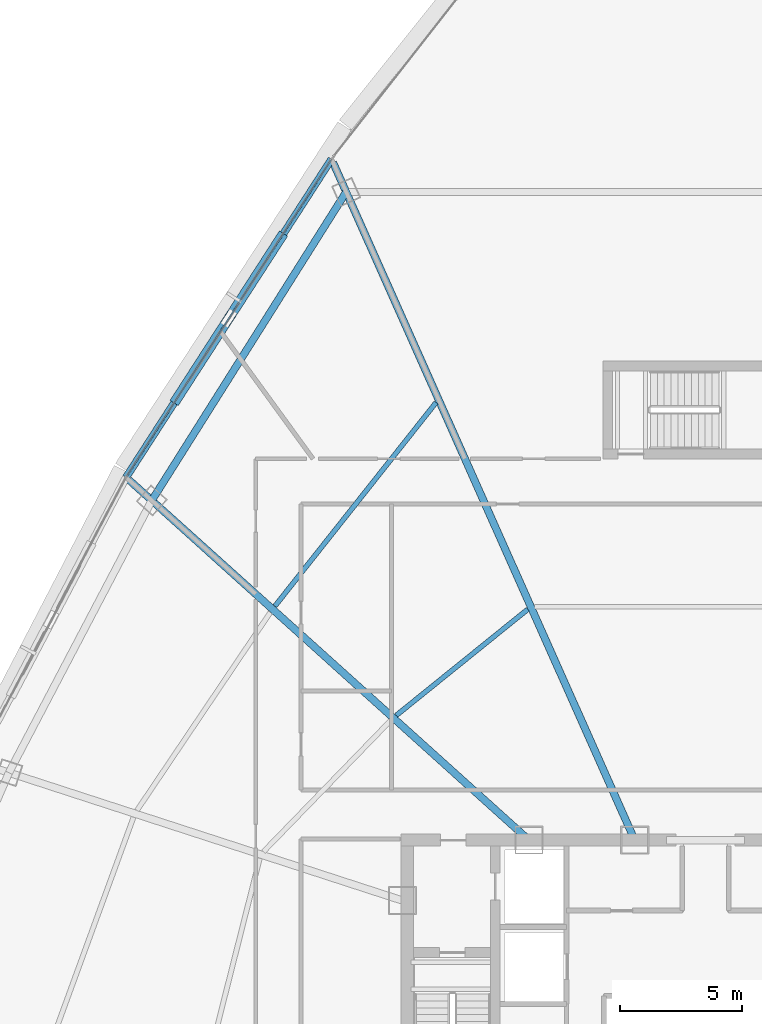
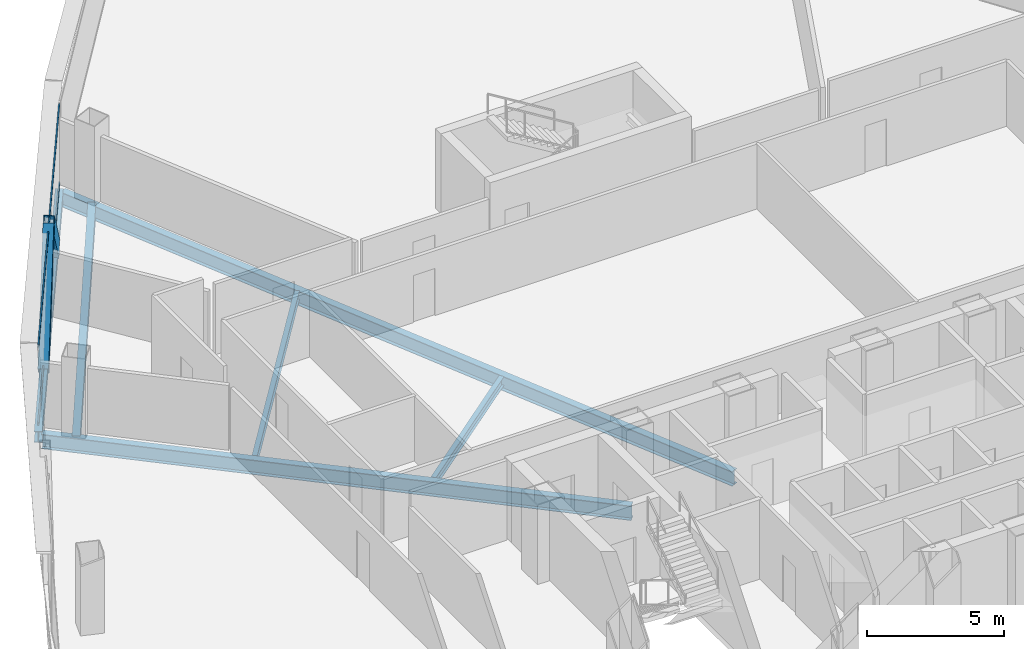
# One storey, part 17 of 36: 6 beams, 4 members, 1 element without a shape of its own.
"""IFC4 building model written with IfcOpenShell, lengths in metres."""

from ifc_helpers import new_model, si_unit, direction, frame, origin, origin_2d, place, context, subcontext, project, spatial, hollow_rectangle, i_section, extrude, source, transform, mapped, material, layer, layer_set, material_profile, profile_set, type_object, element, aggregate, save


model = new_model("IFC4")

# Units and contexts
model_context = context("Model", 3, precision=1e-05, world=origin(), true_north=direction((0.0, 1.0)))
body_context = subcontext(model_context, "Body", "Model", "MODEL_VIEW")
ifc_project = project(units=[si_unit("LENGTHUNIT", "METRE"), si_unit("AREAUNIT", "SQUARE_METRE"), si_unit("VOLUMEUNIT", "CUBIC_METRE"), si_unit("PLANEANGLEUNIT", "RADIAN"), si_unit("MASSUNIT", "GRAM", prefix="KILO"), si_unit("THERMODYNAMICTEMPERATUREUNIT", "KELVIN"), si_unit("POWERUNIT", "WATT")], contexts=[model_context])

# Site, building, storey
site_placement = place(None, origin())
site = spatial("IfcSite", under=ifc_project, at=site_placement, CompositionType="ELEMENT")
building_placement = place(site_placement, origin())
building = spatial("IfcBuilding", under=site, at=building_placement, Name="Yunzhuo Pagoda Commons", CompositionType="ELEMENT")
storey_placement = place(building_placement, frame((0.0, 0.0, 211.360107421875)))
storey = spatial("IfcBuildingStorey", under=building, at=storey_placement, Name="L53", CompositionType="ELEMENT", Elevation=211.360107421875)

# Beams
ifc_material_1 = material(Name="Structural steel Q355B", Category="steel")
ifc_material_profile_1 = material_profile(ifc_material_1, i_section(OverallWidth=0.300048828125, OverallDepth=0.64990234375, WebThickness=0.012939453125, FlangeThickness=0.02197265625, at=origin_2d()), Name="Structural steel Q355B")
ifc_profile_set_1 = profile_set([ifc_material_profile_1], Name="Structural steel Q355B")
beam_type_1 = type_object("IfcBeamType", Name="B-RG2 Beam HN 650x300x13x22", PredefinedType="BEAM", material=ifc_profile_set_1)
shared_shape_1 = source(origin(), body_context, "Body", "SweptSolid", [
    extrude(i_section(OverallWidth=0.300048828125, OverallDepth=0.64990234375, WebThickness=0.012939453125, FlangeThickness=0.02197265625, at=origin_2d()), origin(), (0.0, 0.0, 1.0), 14.916015625),
])
beam_1_placement = place(storey_placement, frame((33.301025390625, 66.714599609375, -0.585205078125), z_axis=(-0.533092374013, -0.846057043449, 0.0), x_axis=(0.846057043449, -0.533092374013, 0.0)))
element("IfcBeam", 1, at=beam_1_placement, inside=storey, type_object=beam_type_1, Name="L53 column-ring beam 9", PredefinedType="BEAM", context=body_context, shape_type="MappedRepresentation", body=[
    mapped(shared_shape_1, transform((0.0, 0.0, 0.0), scale=1.0)),
])
ifc_material_profile_2 = material_profile(ifc_material_1, i_section(OverallWidth=0.199951171875, OverallDepth=0.39990234375, WebThickness=0.008056640625, FlangeThickness=0.012939453125, at=origin_2d()), Name="Structural steel Q355B")
ifc_profile_set_2 = profile_set([ifc_material_profile_2], Name="Structural steel Q355B")
beam_type_2 = type_object("IfcBeamType", Name="B-JS1 Joist HN 400x200x8x13", PredefinedType="JOIST", material=ifc_profile_set_2)
shared_shape_2 = source(origin(), body_context, "Body", "SweptSolid", [
    extrude(i_section(OverallWidth=0.199951171875, OverallDepth=0.39990234375, WebThickness=0.008056640625, FlangeThickness=0.012939453125, at=origin_2d()), origin(), (0.0, 0.0, 1.0), 6.916748046875),
])
beam_2_placement = place(storey_placement, frame((40.732421875, 49.645263671875, -0.460205078125), z_axis=(-0.778265575865, -0.627935262127, 0.0), x_axis=(0.627935262127, -0.778265575865, 0.0)))
element("IfcBeam", 2, at=beam_2_placement, inside=storey, type_object=beam_type_2, Name="L53 composite ring joist 1.9", PredefinedType="JOIST", context=body_context, shape_type="MappedRepresentation", body=[
    mapped(shared_shape_2, transform((0.0, 0.0, 0.0), scale=1.0)),
])
shared_shape_3 = source(origin(), body_context, "Body", "SweptSolid", [
    extrude(i_section(OverallWidth=0.199951171875, OverallDepth=0.39990234375, WebThickness=0.008056640625, FlangeThickness=0.012939453125, at=origin_2d()), origin(), (0.0, 0.0, 1.0), 10.625732421875),
])
beam_3_placement = place(storey_placement, frame((36.980224609375, 58.105224609375, -0.460205078125), z_axis=(-0.620589944532, -0.784135269418, 0.0), x_axis=(0.784135269418, -0.620589944532, 0.0)))
element("IfcBeam", 3, at=beam_3_placement, inside=storey, type_object=beam_type_2, Name="L53 composite ring joist 2.9", PredefinedType="JOIST", context=body_context, shape_type="MappedRepresentation", body=[
    mapped(shared_shape_3, transform((0.0, 0.0, 0.0), scale=1.0)),
])
shared_shape_4 = source(origin(), body_context, "Body", "SweptSolid", [
    extrude(i_section(OverallWidth=0.300048828125, OverallDepth=0.64990234375, WebThickness=0.012939453125, FlangeThickness=0.02197265625, at=origin_2d()), origin(), (0.0, 0.0, 1.0), 22.02490234375),
])
beam_4_placement = place(storey_placement, frame((24.413330078125, 54.9375, -0.585205078125), z_axis=(0.743144207788, -0.669131292371, 0.0), x_axis=(0.669131292371, 0.743144207788, 0.0)))
element("IfcBeam", 4, at=beam_4_placement, inside=storey, type_object=beam_type_1, Name="L53 radial floor girder F3C2", PredefinedType="BEAM", context=body_context, shape_type="MappedRepresentation", body=[
    mapped(shared_shape_4, transform((0.0, 0.0, 0.0), scale=1.0)),
])
shared_shape_5 = source(origin(), body_context, "Body", "SweptSolid", [
    extrude(i_section(OverallWidth=0.300048828125, OverallDepth=0.64990234375, WebThickness=0.012939453125, FlangeThickness=0.02197265625, at=origin_2d()), origin(), (0.0, 0.0, 1.0), 30.3408203125),
])
beam_5_placement = place(storey_placement, frame((32.765380859375, 67.917724609375, -0.585205078125), z_axis=(0.406731921455, -0.913547559829, 0.0), x_axis=(0.913547559829, 0.406731921455, 0.0)))
element("IfcBeam", 5, at=beam_5_placement, inside=storey, type_object=beam_type_1, Name="L53 radial floor girder F3C1", PredefinedType="BEAM", context=body_context, shape_type="MappedRepresentation", body=[
    mapped(shared_shape_5, transform((0.0, 0.0, 0.0), scale=1.0)),
])
ifc_material_profile_3 = material_profile(ifc_material_1, i_section(OverallWidth=0.300048828125, OverallDepth=0.488037109375, WebThickness=0.010986328125, FlangeThickness=0.01806640625, at=origin_2d()), Name="Structural steel Q355B")
ifc_profile_set_3 = profile_set([ifc_material_profile_3], Name="Structural steel Q355B")
beam_type_3 = type_object("IfcBeamType", Name="B-SP1 Beam HM 488x300x11x18", PredefinedType="BEAM", material=ifc_profile_set_3)
shared_shape_6 = source(origin(), body_context, "Body", "SweptSolid", [
    extrude(i_section(OverallWidth=0.300048828125, OverallDepth=0.488037109375, WebThickness=0.010986328125, FlangeThickness=0.01806640625, at=origin_2d()), origin(), (0.0, 0.0, 1.0), 15.4951171875),
])
beam_6_placement = place(storey_placement, frame((32.702392578125, 68.05908203125, -0.504150390625), z_axis=(-0.542386674216, -0.840128975594, 0.0), x_axis=(0.840128975594, -0.542386674216, 0.0)))
element("IfcBeam", 6, at=beam_6_placement, inside=storey, type_object=beam_type_3, Name="L53 facade edge spandrel beam F3.1", PredefinedType="BEAM", context=body_context, shape_type="MappedRepresentation", body=[
    mapped(shared_shape_6, transform((0.0, 0.0, 0.0), scale=1.0)),
])

# Members
ifc_material_profile_4 = material_profile(ifc_material_1, hollow_rectangle(XDim=0.39990234375, YDim=0.719970703125, WallThickness=0.02392578125, at=origin_2d()), Name="Structural steel Q355B")
ifc_profile_set_4 = profile_set([ifc_material_profile_4], Name="Structural steel Q355B")
member_type_1 = type_object("IfcMemberType", Name="M-DL2 Brace BOX 720x400x24", PredefinedType="BRACE", material=ifc_profile_set_4)
shared_shape_7 = source(origin(), body_context, "Body", "SweptSolid", [
    extrude(hollow_rectangle(XDim=0.39990234375, YDim=0.719970703125, WallThickness=0.02392578125, at=origin_2d()), origin(), (0.0, 0.0, 1.0), 5.42626953125),
])
for number, where, z_axis, x_axis, name in (
    (7, (30.601318359375, 64.804931640625, -0.260009765625), (-0.387195625252, -0.599779790871, 0.700245492845), (0.840142880277, -0.542365135974, 0.0), "L53 facade diamond brace F3.1L"),
    (8, (26.399169921875, 58.295654296875, -0.260009765625), (0.387195625252, 0.599779790871, 0.700245492845), (-0.840142880277, 0.542365135974, 0.0), "L53 facade diamond brace F3.1R"),
):
    element("IfcMember", number, at=place(storey_placement, frame(where, z_axis=z_axis, x_axis=x_axis)), inside=storey, type_object=member_type_1, Name=name, PredefinedType="BRACE", context=body_context, shape_type="MappedRepresentation", body=[
        mapped(shared_shape_7, transform((0.0, 0.0, 0.0), scale=1.0)),
    ])

# Curtain wall, members
ifc_material_2 = material(Name="Anodized aluminium 6063-T6", Category="aluminium")
ifc_layer = layer(ifc_material_2, 0.14990234375)
ifc_layer_set = layer_set([ifc_layer], Name="Anodized aluminium 6063-T6")
curtain_wall_type = type_object("IfcCurtainWallType", Name="CW-MID Mid-Zone Ribbon Curtain Wall", PredefinedType="NOTDEFINED", material=ifc_layer_set)
curtain_wall_placement = place(storey_placement, origin())
curtain_wall = element("IfcCurtainWall", 9, at=curtain_wall_placement, inside=storey, type_object=curtain_wall_type, Name="L53 curtain wall CW-L53-F3B2", PredefinedType="NOTDEFINED")
ifc_material_profile_5 = material_profile(ifc_material_2, hollow_rectangle(XDim=0.054931640625, YDim=0.1298828125, WallThickness=0.00341796875, at=origin_2d()), Name="Anodized aluminium 6063-T6")
ifc_profile_set_5 = profile_set([ifc_material_profile_5], Name="Anodized aluminium 6063-T6")
member_type_2 = type_object("IfcMemberType", Name="CW-MID-T Transom RHS 130x55x3.5", PredefinedType="USERDEFINED", material=ifc_profile_set_5)
shared_shape_8 = source(origin(), body_context, "Body", "SweptSolid", [
    extrude(hollow_rectangle(XDim=0.054931640625, YDim=0.1298828125, WallThickness=0.00341796875, at=origin_2d()), origin(), (0.0, 0.0, 1.0), 15.375),
])
member_1_placement = place(storey_placement, frame((32.669677734375, 68.0087890625, 0.02734375), z_axis=(-0.542352903721, -0.84015077684, 0.0), x_axis=(0.84015077684, -0.542352903721, 0.0)))
member_1 = element("IfcMember", 10, at=member_1_placement, type_object=member_type_2, Name="CW transom 1.1", ObjectType="TRANSOM", PredefinedType="USERDEFINED", context=body_context, shape_type="MappedRepresentation", body=[
    mapped(shared_shape_8, transform((0.0, 0.0, 0.0), scale=1.0)),
])
member_2_placement = place(storey_placement, frame((32.669677734375, 68.0087890625, 3.512451171875), z_axis=(-0.542352903721, -0.84015077684, 0.0), x_axis=(0.84015077684, -0.542352903721, 0.0)))
member_2 = element("IfcMember", 11, at=member_2_placement, type_object=member_type_2, Name="CW transom 1.2", ObjectType="TRANSOM", PredefinedType="USERDEFINED", context=body_context, shape_type="MappedRepresentation", body=[
    mapped(shared_shape_8, transform((0.0, 0.0, 0.0), scale=1.0)),
])
aggregate(curtain_wall, [member_1, member_2])

save(model, "model.ifc")
